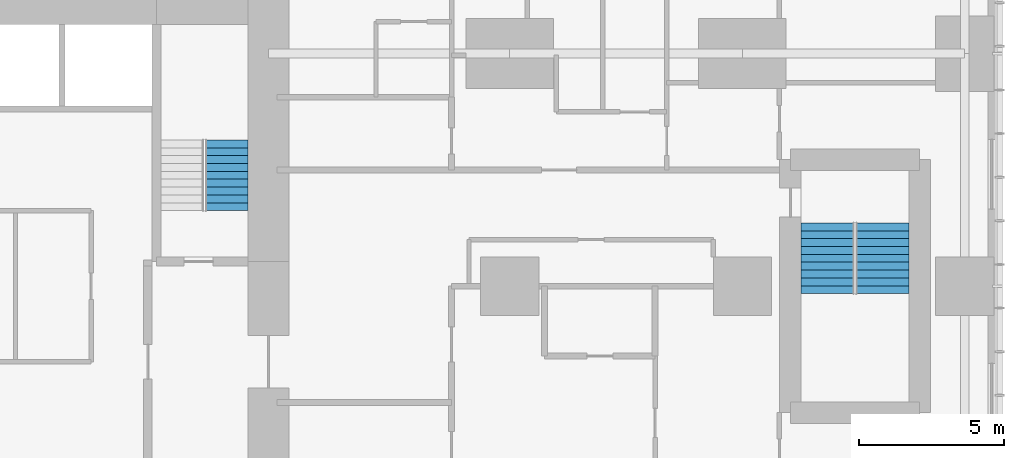
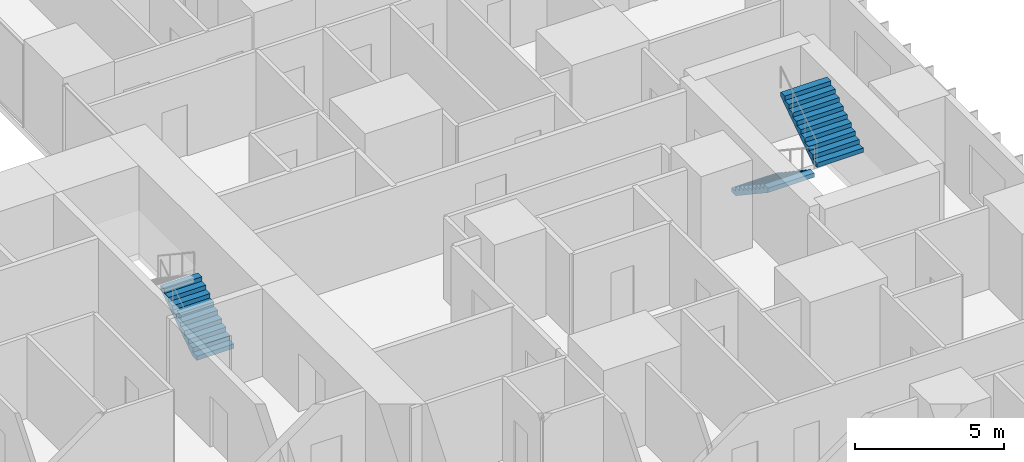
# One storey, part 20 of 21: 3 stair flights, 2 elements without a shape of their own.
"""IFC4 building model written with IfcOpenShell, lengths in metres."""

from ifc_helpers import new_model, si_unit, direction, frame, origin, place, context, subcontext, project, spatial, polyline, outline, extrude, material, type_object, element, aggregate, save


model = new_model("IFC4")

# Units and contexts
model_context = context("Model", 3, precision=1e-05, world=origin(), true_north=direction((0.0, 1.0)))
body_context = subcontext(model_context, "Body", "Model", "MODEL_VIEW")
ifc_project = project(units=[si_unit("LENGTHUNIT", "METRE"), si_unit("AREAUNIT", "SQUARE_METRE"), si_unit("VOLUMEUNIT", "CUBIC_METRE"), si_unit("PLANEANGLEUNIT", "RADIAN"), si_unit("MASSUNIT", "GRAM", prefix="KILO")], contexts=[model_context])

# Site, building, storey
site_placement = place(None, origin())
site = spatial("IfcSite", under=ifc_project, at=site_placement, CompositionType="ELEMENT")
building_placement = place(site_placement, origin())
building = spatial("IfcBuilding", under=site, at=building_placement, Name="Cleftline Residences", CompositionType="ELEMENT")
storey_placement = place(building_placement, frame((0.0, 0.0, 65.60009765625)))
storey = spatial("IfcBuildingStorey", under=building, at=storey_placement, Name="L16", CompositionType="ELEMENT", Elevation=65.60009765625)

# Stair, stair flight
ifc_material_1 = material(Name="Concrete B45, stone treads", Category="masonry")
stair_type_1 = type_object("IfcStairType", Name="STAIR B 1450 WIDE 180 RISER", PredefinedType="HALF_TURN_STAIR", material=ifc_material_1)
stair_1_placement = place(storey_placement, origin())
stair_1 = element("IfcStair", 1, at=stair_1_placement, inside=storey, type_object=stair_type_1, Name="Stair B L16", PredefinedType="HALF_TURN_STAIR")
ifc_material_2 = material(Name="Concrete B45", Category="concrete")
stair_flight_type_1 = type_object("IfcStairFlightType", Name="STAIR B FLIGHT 1450X180", PredefinedType="STRAIGHT", material=ifc_material_2)
stair_flight_1_placement = place(storey_placement, frame((40.27490234375, 26.60009765625, 0.0), z_axis=(0.0, 0.0, 1.0), x_axis=(0.0, 1.0, 0.0)))
stair_flight_1 = element("IfcStairFlight", 2, at=stair_flight_1_placement, type_object=stair_flight_type_1, Name="ST-B flight 1", NumberOfRisers=10, NumberOfTreads=9, PredefinedType="STRAIGHT", RiserHeight=0.18, TreadLength=0.27, context=body_context, shape_type="SweptSolid", body=[
    extrude(outline(polyline([(0.0, 0.0), (0.0, 0.013916015625), (0.0, 0.027587890625), (0.0, 0.04150390625), (0.0, 0.055419921875), (0.0, 0.0693359375), (0.0, 0.0830078125), (0.0, 0.096923828125), (0.0, 0.11083984375), (0.0, 0.12451171875), (0.0, 0.138427734375), (0.0, 0.15234375), (0.0, 0.166259765625), (0.0, 0.179931640625), (0.27001953125, 0.179931640625), (0.27001953125, 0.360107421875), (0.5400390625, 0.360107421875), (0.5400390625, 0.5400390625), (0.81005859375, 0.5400390625), (0.81005859375, 0.719970703125), (1.080078125, 0.719970703125), (1.080078125, 0.89990234375), (1.35009765625, 0.89990234375), (1.35009765625, 1.080078125), (1.6201171875, 1.080078125), (1.6201171875, 1.260009765625), (1.889892578125, 1.260009765625), (1.889892578125, 1.43994140625), (2.159912109375, 1.43994140625), (2.159912109375, 1.6201171875), (2.429931640625, 1.6201171875), (2.429931640625, 1.800048828125), (2.429931640625, 1.772216796875), (2.429931640625, 1.74462890625), (2.429931640625, 1.716796875), (2.429931640625, 1.689208984375), (2.429931640625, 1.661376953125), (2.429931640625, 1.6337890625), (2.429931640625, 1.60595703125), (2.429931640625, 1.578369140625), (2.429931640625, 1.550537109375), (2.429931640625, 1.52294921875), (2.429931640625, 1.495361328125), (2.429931640625, 1.467529296875), (2.429931640625, 1.43994140625), (0.270263671875, 0.0), (0.0, 0.0)])), frame((0.0, 0.72509765625, 0.0), z_axis=(0.0, -1.0, 0.0), x_axis=(1.0, 0.0, 0.0)), (0.0, 0.0, 1.0), 1.449951171875),
])
aggregate(stair_1, [stair_flight_1])

# Stair, stair flights
ifc_material_3 = material(Name="Concrete B45, stone treads", Category="masonry")
stair_type_2 = type_object("IfcStairType", Name="STAIR E 1800 WIDE 180 RISER", PredefinedType="HALF_TURN_STAIR", material=ifc_material_3)
stair_2_placement = place(storey_placement, origin())
stair_2 = element("IfcStair", 3, at=stair_2_placement, inside=storey, type_object=stair_type_2, Name="Stair E L16", PredefinedType="HALF_TURN_STAIR")
ifc_material_4 = material(Name="Concrete B45", Category="concrete")
stair_flight_type_2 = type_object("IfcStairFlightType", Name="STAIR E FLIGHT 1800X180", PredefinedType="STRAIGHT", material=ifc_material_4)
stair_flight_2_placement = place(storey_placement, frame((60.925048828125, 26.175048828125, 0.0), z_axis=(0.0, 0.0, 1.0), x_axis=(0.0, -1.0, 0.0)))
stair_flight_2 = element("IfcStairFlight", 4, at=stair_flight_2_placement, type_object=stair_flight_type_2, Name="ST-E flight 1", NumberOfRisers=10, NumberOfTreads=9, PredefinedType="STRAIGHT", RiserHeight=0.18, TreadLength=0.27, context=body_context, shape_type="SweptSolid", body=[
    extrude(outline(polyline([(0.0, 0.0), (0.0, 0.013916015625), (0.0, 0.027587890625), (0.0, 0.04150390625), (0.0, 0.055419921875), (0.0, 0.0693359375), (0.0, 0.0830078125), (0.0, 0.096923828125), (0.0, 0.11083984375), (0.0, 0.12451171875), (0.0, 0.138427734375), (0.0, 0.15234375), (0.0, 0.166259765625), (0.0, 0.179931640625), (0.27001953125, 0.179931640625), (0.27001953125, 0.360107421875), (0.5400390625, 0.360107421875), (0.5400390625, 0.5400390625), (0.81005859375, 0.5400390625), (0.81005859375, 0.719970703125), (1.080078125, 0.719970703125), (1.080078125, 0.89990234375), (1.35009765625, 0.89990234375), (1.35009765625, 1.080078125), (1.6201171875, 1.080078125), (1.6201171875, 1.260009765625), (1.889892578125, 1.260009765625), (1.889892578125, 1.43994140625), (2.159912109375, 1.43994140625), (2.159912109375, 1.6201171875), (2.429931640625, 1.6201171875), (2.429931640625, 1.800048828125), (2.429931640625, 1.772216796875), (2.429931640625, 1.74462890625), (2.429931640625, 1.716796875), (2.429931640625, 1.689208984375), (2.429931640625, 1.661376953125), (2.429931640625, 1.6337890625), (2.429931640625, 1.60595703125), (2.429931640625, 1.578369140625), (2.429931640625, 1.550537109375), (2.429931640625, 1.52294921875), (2.429931640625, 1.495361328125), (2.429931640625, 1.467529296875), (2.429931640625, 1.43994140625), (0.270263671875, 0.0), (0.0, 0.0)])), frame((0.0, 0.89990234375, 0.0), z_axis=(0.0, -1.0, 0.0), x_axis=(1.0, 0.0, 0.0)), (0.0, 0.0, 1.0), 1.800048828125),
])
stair_flight_3_placement = place(storey_placement, frame((62.824951171875, 23.7451171875, 1.7998046875), z_axis=(0.0, 0.0, 1.0), x_axis=(0.0, 1.0, 0.0)))
stair_flight_3 = element("IfcStairFlight", 5, at=stair_flight_3_placement, type_object=stair_flight_type_2, Name="ST-E flight 2", NumberOfRisers=10, NumberOfTreads=9, PredefinedType="STRAIGHT", RiserHeight=0.18, TreadLength=0.27, context=body_context, shape_type="SweptSolid", body=[
    extrude(outline(polyline([(0.0, 0.0), (0.0, 0.013916015625), (0.0, 0.027587890625), (0.0, 0.04150390625), (0.0, 0.055419921875), (0.0, 0.0693359375), (0.0, 0.0830078125), (0.0, 0.096923828125), (0.0, 0.11083984375), (0.0, 0.12451171875), (0.0, 0.138427734375), (0.0, 0.15234375), (0.0, 0.166259765625), (0.0, 0.179931640625), (0.27001953125, 0.179931640625), (0.27001953125, 0.360107421875), (0.5400390625, 0.360107421875), (0.5400390625, 0.5400390625), (0.81005859375, 0.5400390625), (0.81005859375, 0.719970703125), (1.080078125, 0.719970703125), (1.080078125, 0.89990234375), (1.35009765625, 0.89990234375), (1.35009765625, 1.080078125), (1.6201171875, 1.080078125), (1.6201171875, 1.260009765625), (1.889892578125, 1.260009765625), (1.889892578125, 1.43994140625), (2.159912109375, 1.43994140625), (2.159912109375, 1.6201171875), (2.429931640625, 1.6201171875), (2.429931640625, 1.800048828125), (2.429931640625, 1.772216796875), (2.429931640625, 1.74462890625), (2.429931640625, 1.716796875), (2.429931640625, 1.689208984375), (2.429931640625, 1.661376953125), (2.429931640625, 1.6337890625), (2.429931640625, 1.60595703125), (2.429931640625, 1.578369140625), (2.429931640625, 1.550537109375), (2.429931640625, 1.52294921875), (2.429931640625, 1.495361328125), (2.429931640625, 1.467529296875), (2.429931640625, 1.43994140625), (0.270263671875, 0.0), (0.0, 0.0)])), frame((0.0, 0.89990234375, 0.0), z_axis=(0.0, -1.0, 0.0), x_axis=(1.0, 0.0, 0.0)), (0.0, 0.0, 1.0), 1.800048828125),
])
aggregate(stair_2, [stair_flight_2, stair_flight_3])

save(model, "model.ifc")
